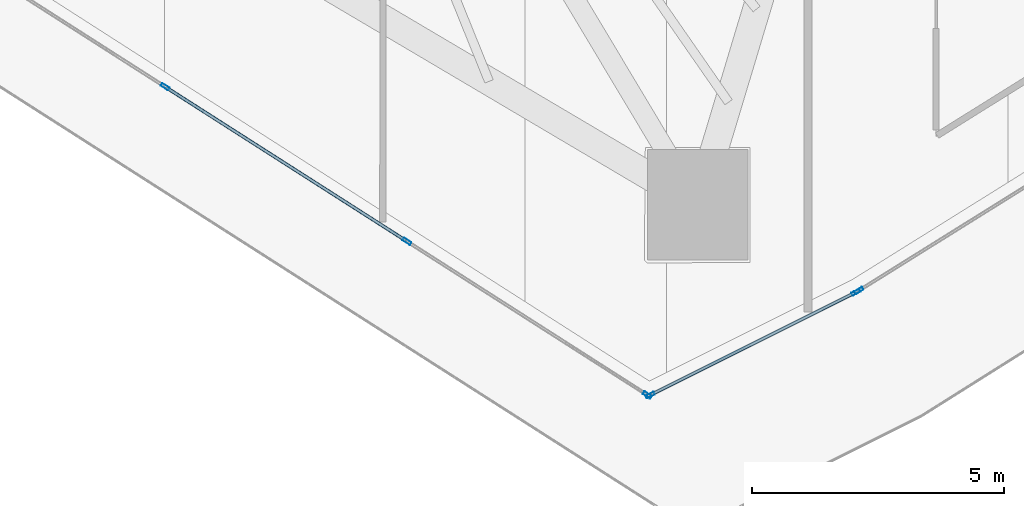
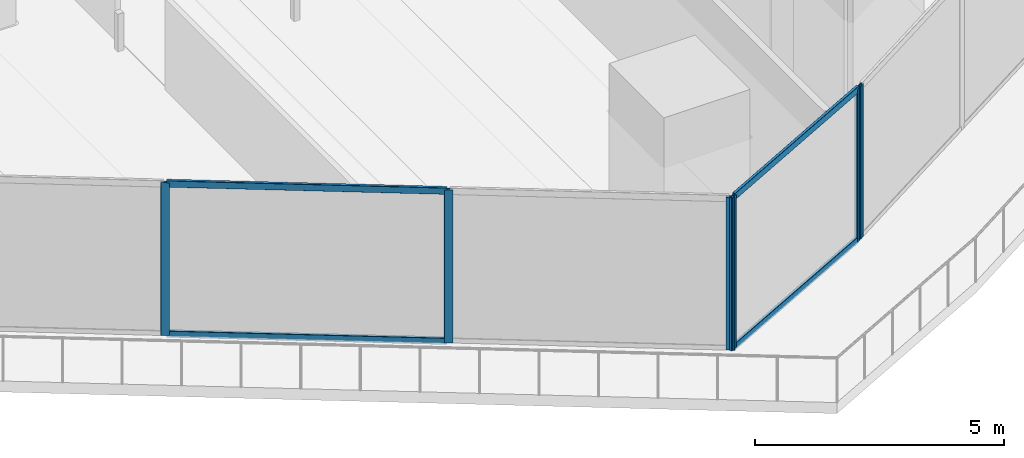
# One storey, part 7 of 36: 10 members, 3 elements without a shape of their own.
"""IFC4 building model written with IfcOpenShell, lengths in metres."""

import ifcopenshell
import ifcopenshell.guid

model = None  # the IFC model being written
_history = None  # IfcOwnerHistory: only IFC2X3 demands one
_inside = {}  # id of a spatial element -> (the spatial element, [elements in it])
_under = {}  # id of a project, library or spatial element -> (it, [spatial elements below it])
_declared = {}  # id of a project -> (the project, [libraries it declares])
_typed = {}  # id of a type object -> (the type object, [elements of that type])
_made_of = {}  # id of a material, layer set ... -> (it, [elements and type objects made of it])


def new_model(schema):
    """Start an empty IFC model of exactly this schema.

    Asked for "IFC4X3", IfcOpenShell would pick the latest addendum, in which some entities
    have other attributes; the version numbers below select the first issue.
    IFC2X3 requires an IfcOwnerHistory on every rooted entity: one is made here for all.
    """
    global model, _history
    if schema == "IFC4X3":
        model = ifcopenshell.file(schema_version=(4, 3, 0, 0))
    else:
        model = ifcopenshell.file(schema=schema)
    _inside.clear()
    _under.clear()
    _declared.clear()
    _typed.clear()
    _made_of.clear()
    _history = None
    if model.schema == "IFC2X3":
        org = make("IfcOrganization", Name="unknown")
        user = make(
            "IfcPersonAndOrganization",
            ThePerson=make("IfcPerson", FamilyName="unknown"),
            TheOrganization=org,
        )
        app = make(
            "IfcApplication",
            ApplicationDeveloper=org,
            Version="unknown",
            ApplicationFullName="unknown",
            ApplicationIdentifier="unknown",
        )
        _history = make(
            "IfcOwnerHistory",
            OwningUser=user,
            OwningApplication=app,
            ChangeAction="ADDED",
            CreationDate=0,
        )
    return model


def make(cls, **values):
    """One entity of the class cls with the attributes given. An attribute that is None is left unset."""
    return model.create_entity(
        cls, **{name: value for name, value in values.items() if value is not None}
    )


def rooted(cls, **values):
    """An entity with a GlobalId (a new one), such as an element, a storey or a relation."""
    return make(cls, GlobalId=ifcopenshell.guid.new(), OwnerHistory=_history, **values)


def si_unit(unit_type, name, prefix=None):
    """IfcSIUnit, for example si_unit("LENGTHUNIT", "METRE", prefix="MILLI")."""
    return make("IfcSIUnit", UnitType=unit_type, Prefix=prefix, Name=name)


def assignment(units):
    """IfcUnitAssignment: the units of a project."""
    return None if units is None else make("IfcUnitAssignment", Units=units)


def point(xyz):
    """IfcCartesianPoint."""
    return None if xyz is None else make("IfcCartesianPoint", Coordinates=xyz)


def direction(xyz):
    """IfcDirection."""
    return None if xyz is None else make("IfcDirection", DirectionRatios=xyz)


def frame(location, z_axis=None, x_axis=None):
    """IfcAxis2Placement3D, a coordinate frame: its origin and axes. An axis left out is left unset."""
    return make(
        "IfcAxis2Placement3D",
        Location=point(location),
        Axis=direction(z_axis),
        RefDirection=direction(x_axis),
    )


def frame_2d(location, x_axis=None):
    """IfcAxis2Placement2D, a coordinate frame in the plane: its origin and x axis."""
    return make(
        "IfcAxis2Placement2D", Location=point(location), RefDirection=direction(x_axis)
    )


def origin():
    """The frame at (0, 0, 0) with its axes left unset."""
    return frame((0.0, 0.0, 0.0))


def origin_2d():
    """The frame at (0, 0) in the plane with its x axis left unset."""
    return frame_2d((0.0, 0.0))


def place(relative_to, where):
    """IfcLocalPlacement: puts the frame where relative to a parent placement (None: the world)."""
    return make(
        "IfcLocalPlacement", PlacementRelTo=relative_to, RelativePlacement=where
    )


def context(
    kind, dimensions, precision=None, world=None, true_north=None, identifier=None
):
    """IfcGeometricRepresentationContext, for example the 3D "Model" context."""
    return make(
        "IfcGeometricRepresentationContext",
        ContextIdentifier=identifier,
        ContextType=kind,
        CoordinateSpaceDimension=dimensions,
        Precision=precision,
        WorldCoordinateSystem=world,
        TrueNorth=true_north,
    )


def subcontext(parent, identifier, kind, view, scale=None):
    """IfcGeometricRepresentationSubContext, for example "Body" below "Model"."""
    return make(
        "IfcGeometricRepresentationSubContext",
        ContextIdentifier=identifier,
        ContextType=kind,
        ParentContext=parent,
        TargetScale=scale,
        TargetView=view,
    )


def project(units=None, contexts=None):
    """IfcProject with its units and contexts."""
    return rooted(
        "IfcProject",
        Name="project",
        RepresentationContexts=contexts,
        UnitsInContext=assignment(units),
    )


def spatial(cls, under=None, at=None, **own):
    """A site, building, storey or space (cls), placed at a placement, below another one or the project."""
    s = rooted(cls, ObjectPlacement=at, **own)
    if under is not None:
        _under.setdefault(under.id(), (under, []))[1].append(s)
    return s


def profile(cls, at=None, kind="AREA", **sizes):
    """A parametric profile (cls). Its sizes go by their IFC names, for example OverallWidth=200.0."""
    return make(cls, ProfileType=kind, Position=at, **sizes)


def hollow_rectangle(**sizes):
    """IfcRectangleHollowProfileDef."""
    return profile("IfcRectangleHollowProfileDef", **sizes)


def extrude(swept, where, along, depth):
    """IfcExtrudedAreaSolid: the profile swept, set in the frame where, extruded along a direction by depth."""
    return make(
        "IfcExtrudedAreaSolid",
        SweptArea=swept,
        Position=where,
        ExtrudedDirection=direction(along),
        Depth=depth,
    )


def shape(context_of_items, identifier, shape_type, items):
    """IfcShapeRepresentation: the items that make up one representation, for example the "Body"."""
    return make(
        "IfcShapeRepresentation",
        ContextOfItems=context_of_items,
        RepresentationIdentifier=identifier,
        RepresentationType=shape_type,
        Items=items,
    )


def material(Name=None, Category=None):
    """IfcMaterial."""
    return make("IfcMaterial", Name=Name, Category=Category)


def layer(
    of_material, thickness, ventilated=None, Name=None, Category=None, Priority=None
):
    """IfcMaterialLayer: one layer of a wall or slab, of a material (None: an air gap)."""
    return make(
        "IfcMaterialLayer",
        Material=of_material,
        LayerThickness=thickness,
        IsVentilated=ventilated,
        Name=Name,
        Category=Category,
        Priority=Priority,
    )


def layer_set(layers, Name=None):
    """IfcMaterialLayerSet."""
    return make("IfcMaterialLayerSet", MaterialLayers=layers, LayerSetName=Name)


def material_profile(
    of_material, cross_section, Name=None, Category=None, Priority=None
):
    """IfcMaterialProfile: a cross section and its material."""
    return make(
        "IfcMaterialProfile",
        Name=Name,
        Material=of_material,
        Profile=cross_section,
        Priority=Priority,
        Category=Category,
    )


def profile_set(profiles, Name=None, composite=None):
    """IfcMaterialProfileSet."""
    return make(
        "IfcMaterialProfileSet",
        Name=Name,
        MaterialProfiles=profiles,
        CompositeProfile=composite,
    )


def made_of(thing, what):
    """Note that an element or type object is made of a material, layer set ...; save() writes the relation."""
    if what is not None:
        _made_of.setdefault(what.id(), (what, []))[1].append(thing)
    return thing


def type_object(cls, material=None, **own):
    """A type object (cls), such as IfcWallType, which elements share."""
    return made_of(rooted(cls, **own), material)


def element(
    cls,
    number,
    at=None,
    inside=None,
    cuts=None,
    type_object=None,
    material=None,
    context=None,
    identifier="Body",
    shape_type=None,
    held_by="IfcProductDefinitionShape",
    body=None,
    shapes=None,
    **own,
):
    """One element of the class cls, such as IfcWall. Its Tag is "e" and its number.

    at: its placement. inside: the storey or other place that contains it. cuts: it is an
    opening in that element (IfcRelVoidsElement). A single representation is given by context,
    identifier, shape_type and body (its items); several are given by shapes. held_by: the class
    of the entity that holds the representations. save() writes the other relations.
    """
    e = rooted(cls, Tag="e%d" % number, ObjectPlacement=at, **own)
    if body is not None:
        shapes = [shape(context, identifier, shape_type, body)]
    if shapes is not None:
        e.Representation = make(held_by, Representations=shapes)
    if inside is not None:
        _inside.setdefault(inside.id(), (inside, []))[1].append(e)
    if cuts is not None:
        rooted(
            "IfcRelVoidsElement", RelatingBuildingElement=cuts, RelatedOpeningElement=e
        )
    if type_object is not None:
        _typed.setdefault(type_object.id(), (type_object, []))[1].append(e)
    return made_of(e, material)


def aggregate(whole, parts):
    """IfcRelAggregates: a whole, such as a stair, and the parts it consists of."""
    return rooted("IfcRelAggregates", RelatingObject=whole, RelatedObjects=parts)


def save(model, path):
    """Write the relations noted so far, then the file.

    IfcRelAggregates (storeys below a building ...), IfcRelContainedInSpatialStructure (elements
    in a storey), IfcRelDefinesByType, IfcRelAssociatesMaterial and IfcRelDeclares: one each for
    every whole, place, type object, material and project.
    """
    for whole, parts in _under.values():
        aggregate(whole, parts)
    for where, things in _inside.values():
        rooted(
            "IfcRelContainedInSpatialStructure",
            RelatedElements=things,
            RelatingStructure=where,
        )
    for kind, things in _typed.values():
        rooted("IfcRelDefinesByType", RelatedObjects=things, RelatingType=kind)
    for what, things in _made_of.values():
        rooted("IfcRelAssociatesMaterial", RelatedObjects=things, RelatingMaterial=what)
    for by, libraries in _declared.values():
        rooted("IfcRelDeclares", RelatingContext=by, RelatedDefinitions=libraries)
    model.write(path)


model = new_model("IFC4")

# Units and contexts
model_context = context("Model", 3, precision=1e-05, world=origin(), true_north=direction((0.0, 1.0)))
body_context = subcontext(model_context, "Body", "Model", "MODEL_VIEW")
ifc_project = project(units=[si_unit("LENGTHUNIT", "METRE"), si_unit("AREAUNIT", "SQUARE_METRE"), si_unit("VOLUMEUNIT", "CUBIC_METRE"), si_unit("PLANEANGLEUNIT", "RADIAN"), si_unit("MASSUNIT", "GRAM", prefix="KILO")], contexts=[model_context])

# Site, building, storey
site_placement = place(None, origin())
site = spatial("IfcSite", under=ifc_project, at=site_placement, CompositionType="ELEMENT")
building_placement = place(site_placement, origin())
building = spatial("IfcBuilding", under=site, at=building_placement, Name="Qorvath Tower", CompositionType="ELEMENT")
storey_placement = place(building_placement, frame((0.0, 0.0, 170.550048828125)))
storey = spatial("IfcBuildingStorey", under=building, at=storey_placement, Name="L39", CompositionType="ELEMENT", Elevation=170.550048828125)

# Curtain wall, members
ifc_material_1 = material(Name="Anodised aluminium and triple low-E glass", Category="aluminium")
ifc_layer = layer(ifc_material_1, 0.179931640625)
ifc_layer_set = layer_set([ifc_layer], Name="CW-SYS-3")
curtain_wall_type = type_object("IfcCurtainWallType", Name="CW-SYS-3", PredefinedType="NOTDEFINED", material=ifc_layer_set)
curtain_wall_1_placement = place(storey_placement, origin())
curtain_wall_1 = element("IfcCurtainWall", 1, at=curtain_wall_1_placement, inside=storey, type_object=curtain_wall_type, Name="Curtain Wall CW-3 CW-T-L39-2.2", PredefinedType="NOTDEFINED")
ifc_material_2 = material(Name="Anodised aluminium 6063-T6", Category="aluminium")
ifc_material_profile_1 = material_profile(ifc_material_2, hollow_rectangle(XDim=0.06494140625, YDim=0.179931640625, WallThickness=0.00341796875, InnerFilletRadius=0.00341796875, OuterFilletRadius=0.007080078125, at=origin_2d()), Name="CWM 180x65")
ifc_profile_set_1 = profile_set([ifc_material_profile_1], Name="Anodised aluminium 6063-T6")
member_type_1 = type_object("IfcMemberType", Name="CWM-180", PredefinedType="MULLION", material=ifc_profile_set_1)
member_1_placement = place(storey_placement, frame((-25.928955078125, -22.9013671875, 0.0), z_axis=(0.0, 0.0, 1.0), x_axis=(0.53853443311, 0.842603503645, 0.0)))
member_1 = element("IfcMember", 2, at=member_1_placement, type_object=member_type_1, Name="CW-3 mullion 2", PredefinedType="MULLION", context=body_context, shape_type="SweptSolid", body=[
    extrude(hollow_rectangle(XDim=0.06494140625, YDim=0.179931640625, WallThickness=0.00341796875, InnerFilletRadius=0.00341796875, OuterFilletRadius=0.007080078125, at=origin_2d()), origin(), (0.0, 0.0, 1.0), 3.75),
])
member_2_placement = place(storey_placement, frame((-21.123779296875, -25.97265625, 0.0), z_axis=(0.0, 0.0, 1.0), x_axis=(0.53853443311, 0.842603503645, 0.0)))
member_2 = element("IfcMember", 3, at=member_2_placement, type_object=member_type_1, Name="CW-3 mullion 3", PredefinedType="MULLION", context=body_context, shape_type="SweptSolid", body=[
    extrude(hollow_rectangle(XDim=0.06494140625, YDim=0.179931640625, WallThickness=0.00341796875, InnerFilletRadius=0.00341796875, OuterFilletRadius=0.007080078125, at=origin_2d()), origin(), (0.0, 0.0, 1.0), 3.75),
])
member_3_placement = place(storey_placement, frame((-16.345947265625, -29.026123046875, 0.0), z_axis=(0.0, 0.0, 1.0), x_axis=(0.53853443311, 0.842603503645, 0.0)))
member_3 = element("IfcMember", 4, at=member_3_placement, type_object=member_type_1, Name="CW-3 mullion 4", PredefinedType="MULLION", context=body_context, shape_type="SweptSolid", body=[
    extrude(hollow_rectangle(XDim=0.06494140625, YDim=0.179931640625, WallThickness=0.00341796875, InnerFilletRadius=0.00341796875, OuterFilletRadius=0.007080078125, at=origin_2d()), origin(), (0.0, 0.0, 1.0), 3.75),
])

curtain_wall_2_placement = place(storey_placement, origin())
curtain_wall_2 = element("IfcCurtainWall", 5, at=curtain_wall_2_placement, inside=storey, type_object=curtain_wall_type, Name="Curtain Wall CW-3 CW-T-L39-3.1", PredefinedType="NOTDEFINED")
member_4_placement = place(storey_placement, frame((-16.28955078125, -29.029052734375, 0.0), z_axis=(0.0, 0.0, 1.0), x_axis=(-0.447222218703, 0.894422879346, 0.0)))
member_4 = element("IfcMember", 6, at=member_4_placement, type_object=member_type_1, Name="CW-3 mullion 1", PredefinedType="MULLION", context=body_context, shape_type="SweptSolid", body=[
    extrude(hollow_rectangle(XDim=0.06494140625, YDim=0.179931640625, WallThickness=0.00341796875, InnerFilletRadius=0.00341796875, OuterFilletRadius=0.007080078125, at=origin_2d()), origin(), (0.0, 0.0, 1.0), 3.75),
])
member_5_placement = place(storey_placement, frame((-12.19873046875, -26.983642578125, 0.0), z_axis=(0.0, 0.0, 1.0), x_axis=(-0.447222218703, 0.894422879346, 0.0)))
member_5 = element("IfcMember", 7, at=member_5_placement, type_object=member_type_1, Name="CW-3 mullion 2", PredefinedType="MULLION", context=body_context, shape_type="SweptSolid", body=[
    extrude(hollow_rectangle(XDim=0.06494140625, YDim=0.179931640625, WallThickness=0.00341796875, InnerFilletRadius=0.00341796875, OuterFilletRadius=0.007080078125, at=origin_2d()), origin(), (0.0, 0.0, 1.0), 3.75),
])

# Curtain wall, member
curtain_wall_3_placement = place(storey_placement, origin())
curtain_wall_3 = element("IfcCurtainWall", 8, at=curtain_wall_3_placement, inside=storey, type_object=curtain_wall_type, Name="Curtain Wall CW-3 CW-T-L39-4.1", PredefinedType="NOTDEFINED")
member_6_placement = place(storey_placement, frame((-12.14208984375, -26.951904296875, 0.0), z_axis=(0.0, 0.0, 1.0), x_axis=(-0.529328282744, 0.848417096178, 0.0)))
member_6 = element("IfcMember", 9, at=member_6_placement, type_object=member_type_1, Name="CW-3 mullion 1", PredefinedType="MULLION", context=body_context, shape_type="SweptSolid", body=[
    extrude(hollow_rectangle(XDim=0.06494140625, YDim=0.179931640625, WallThickness=0.00341796875, InnerFilletRadius=0.00341796875, OuterFilletRadius=0.007080078125, at=origin_2d()), origin(), (0.0, 0.0, 1.0), 3.75),
])
aggregate(curtain_wall_3, [member_6])

# Member
ifc_material_3 = material(Name="Anodised aluminium 6063-T6", Category="aluminium")
ifc_material_profile_2 = material_profile(ifc_material_3, hollow_rectangle(XDim=0.06494140625, YDim=0.159912109375, WallThickness=0.00341796875, InnerFilletRadius=0.00341796875, OuterFilletRadius=0.007080078125, at=origin_2d()), Name="CWT 160x65")
ifc_profile_set_2 = profile_set([ifc_material_profile_2], Name="Anodised aluminium 6063-T6")
member_type_2 = type_object("IfcMemberType", Name="CWT-160", PredefinedType="USERDEFINED", material=ifc_profile_set_2)
member_7_placement = place(storey_placement, frame((-25.901611328125, -22.9189453125, 0.032470703125), z_axis=(0.842607837252, -0.538527652588, 0.0), x_axis=(0.538527652588, 0.842607837252, 0.0)))
member_7 = element("IfcMember", 10, at=member_7_placement, type_object=member_type_2, Name="CW-3 transom 2.1", ObjectType="TRANSOM", PredefinedType="USERDEFINED", context=body_context, shape_type="SweptSolid", body=[
    extrude(hollow_rectangle(XDim=0.06494140625, YDim=0.159912109375, WallThickness=0.00341796875, InnerFilletRadius=0.00341796875, OuterFilletRadius=0.007080078125, at=origin_2d()), origin(), (0.0, 0.0, 1.0), 5.637939453125),
])

member_8_placement = place(storey_placement, frame((-25.901611328125, -22.9189453125, 3.717529296875), z_axis=(0.842607837252, -0.538527652588, 0.0), x_axis=(0.538527652588, 0.842607837252, 0.0)))
member_8 = element("IfcMember", 11, at=member_8_placement, type_object=member_type_2, Name="CW-3 transom 2.2", ObjectType="TRANSOM", PredefinedType="USERDEFINED", context=body_context, shape_type="SweptSolid", body=[
    extrude(hollow_rectangle(XDim=0.06494140625, YDim=0.159912109375, WallThickness=0.00341796875, InnerFilletRadius=0.00341796875, OuterFilletRadius=0.007080078125, at=origin_2d()), origin(), (0.0, 0.0, 1.0), 5.637939453125),
])

aggregate(curtain_wall_1, [member_1, member_2, member_3, member_7, member_8])

member_9_placement = place(storey_placement, frame((-16.260498046875, -29.0146484375, 0.032470703125), z_axis=(0.894427191, 0.4472135955, 0.0), x_axis=(-0.4472135955, 0.894427191, 0.0)))
member_9 = element("IfcMember", 12, at=member_9_placement, type_object=member_type_2, Name="CW-3 transom 1.1", ObjectType="TRANSOM", PredefinedType="USERDEFINED", context=body_context, shape_type="SweptSolid", body=[
    extrude(hollow_rectangle(XDim=0.06494140625, YDim=0.159912109375, WallThickness=0.00341796875, InnerFilletRadius=0.00341796875, OuterFilletRadius=0.007080078125, at=origin_2d()), origin(), (0.0, 0.0, 1.0), 4.5087890625),
])

member_10_placement = place(storey_placement, frame((-16.260498046875, -29.0146484375, 3.717529296875), z_axis=(0.894427191, 0.4472135955, 0.0), x_axis=(-0.4472135955, 0.894427191, 0.0)))
member_10 = element("IfcMember", 13, at=member_10_placement, type_object=member_type_2, Name="CW-3 transom 1.2", ObjectType="TRANSOM", PredefinedType="USERDEFINED", context=body_context, shape_type="SweptSolid", body=[
    extrude(hollow_rectangle(XDim=0.06494140625, YDim=0.159912109375, WallThickness=0.00341796875, InnerFilletRadius=0.00341796875, OuterFilletRadius=0.007080078125, at=origin_2d()), origin(), (0.0, 0.0, 1.0), 4.5087890625),
])

aggregate(curtain_wall_2, [member_4, member_5, member_9, member_10])

save(model, "model.ifc")
